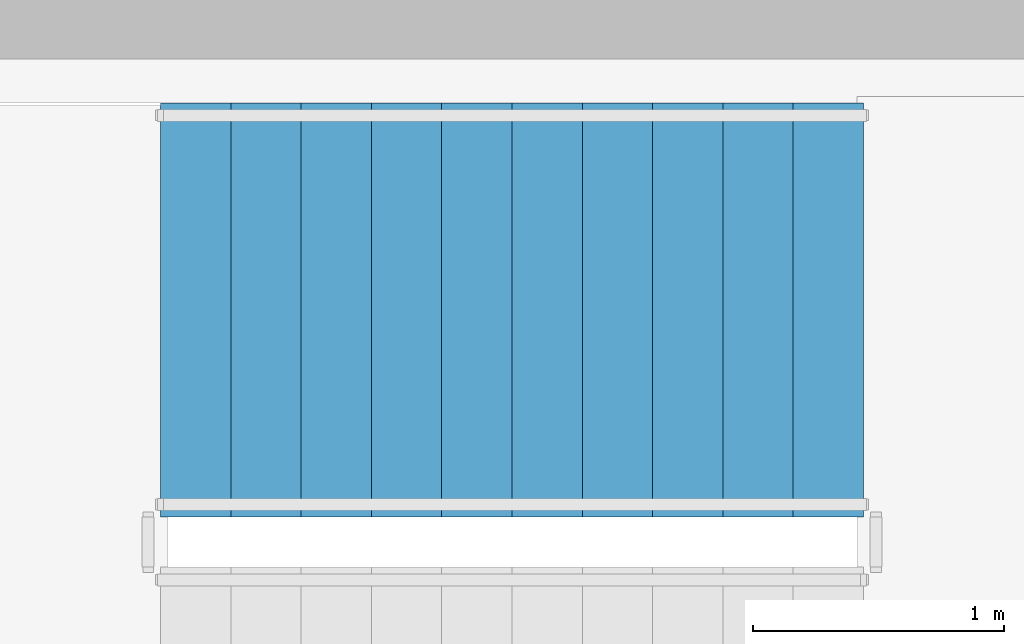
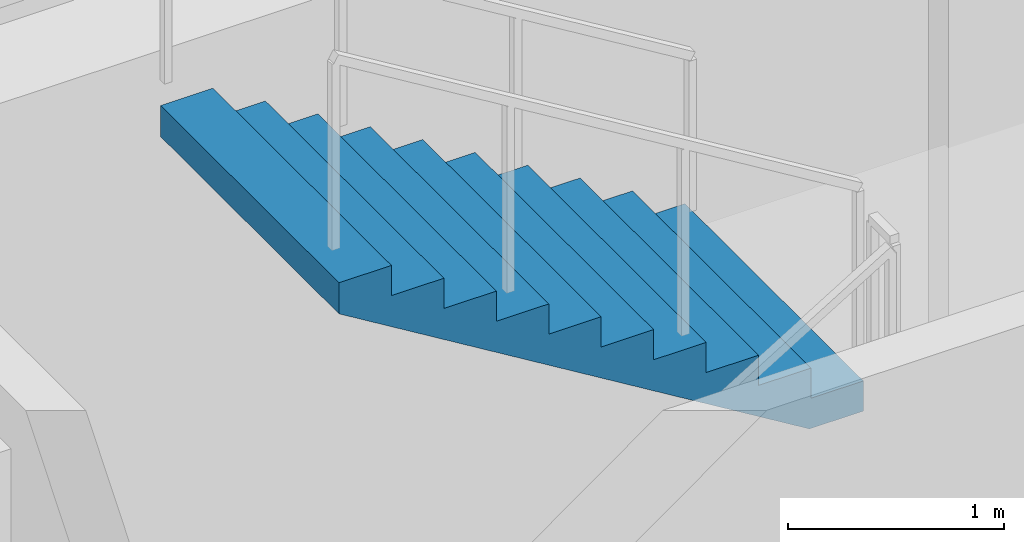
# One storey, part 27 of 33: 1 stair flight, 1 element without a shape of its own.
"""IFC4 building model written with IfcOpenShell, lengths in metres."""

from ifc_helpers import new_model, si_unit, direction, frame, origin, place, context, subcontext, project, spatial, polyline, outline, extrude, material, type_object, element, aggregate, save


model = new_model("IFC4")

# Units and contexts
model_context = context("Model", 3, precision=1e-05, world=origin(), true_north=direction((0.0, 1.0)))
body_context = subcontext(model_context, "Body", "Model", "MODEL_VIEW")
ifc_project = project(units=[si_unit("LENGTHUNIT", "METRE"), si_unit("AREAUNIT", "SQUARE_METRE"), si_unit("VOLUMEUNIT", "CUBIC_METRE"), si_unit("PLANEANGLEUNIT", "RADIAN"), si_unit("MASSUNIT", "GRAM", prefix="KILO")], contexts=[model_context])

# Site, building, storey
site_placement = place(None, origin())
site = spatial("IfcSite", under=ifc_project, at=site_placement, CompositionType="ELEMENT")
building_placement = place(site_placement, origin())
building = spatial("IfcBuilding", under=site, at=building_placement, Name="Haldenkirk Collegiate Tower", CompositionType="ELEMENT")
storey_placement = place(building_placement, frame((0.0, 0.0, 124.199951171875)))
storey = spatial("IfcBuildingStorey", under=building, at=storey_placement, Name="L30", CompositionType="ELEMENT", Elevation=124.199951171875)

# Stair, stair flight
ifc_material = material(Name="Concrete f'c 40 MPa", Category="concrete")
stair_type = type_object("IfcStairType", Name="STR-DOGLEG-1650", PredefinedType="HALF_TURN_STAIR", material=ifc_material)
stair_placement = place(storey_placement, origin())
stair = element("IfcStair", 1, at=stair_placement, inside=storey, type_object=stair_type, Name="L30 Core Exit Stair ST-3", PredefinedType="HALF_TURN_STAIR")
stair_flight_type = type_object("IfcStairFlightType", Name="STF-FLIGHT-1650", PredefinedType="STRAIGHT", material=ifc_material)
stair_flight_placement = place(storey_placement, frame((36.449951171875, 32.72509765625, 1.875), z_axis=(0.0, 0.0, 1.0), x_axis=(-1.0, 0.0, 0.0)))
stair_flight = element("IfcStairFlight", 2, at=stair_flight_placement, type_object=stair_flight_type, Name="ST-3 flight 2", NumberOfRisers=11, NumberOfTreads=10, PredefinedType="STRAIGHT", RiserHeight=0.170454545, TreadLength=0.28, context=body_context, shape_type="SweptSolid", body=[
    extrude(outline(polyline([(0.0, 0.0), (0.0, 0.17041015625), (0.280029296875, 0.17041015625), (0.280029296875, 0.3408203125), (0.56005859375, 0.3408203125), (0.56005859375, 0.511474609375), (0.840087890625, 0.511474609375), (0.840087890625, 0.681884765625), (1.1201171875, 0.681884765625), (1.1201171875, 0.852294921875), (1.39990234375, 0.852294921875), (1.39990234375, 1.022705078125), (1.679931640625, 1.022705078125), (1.679931640625, 1.193115234375), (1.9599609375, 1.193115234375), (1.9599609375, 1.363525390625), (2.239990234375, 1.363525390625), (2.239990234375, 1.5341796875), (2.52001953125, 1.5341796875), (2.52001953125, 1.70458984375), (2.800048828125, 1.70458984375), (2.800048828125, 1.875), (2.800048828125, 1.529052734375), (0.288330078125, 0.0), (0.0, 0.0)])), frame((0.0, 0.824951171875, 0.0), z_axis=(0.0, -1.0, 0.0), x_axis=(1.0, 0.0, 0.0)), (0.0, 0.0, 1.0), 1.64990234375),
])
aggregate(stair, [stair_flight])

save(model, "model.ifc")
